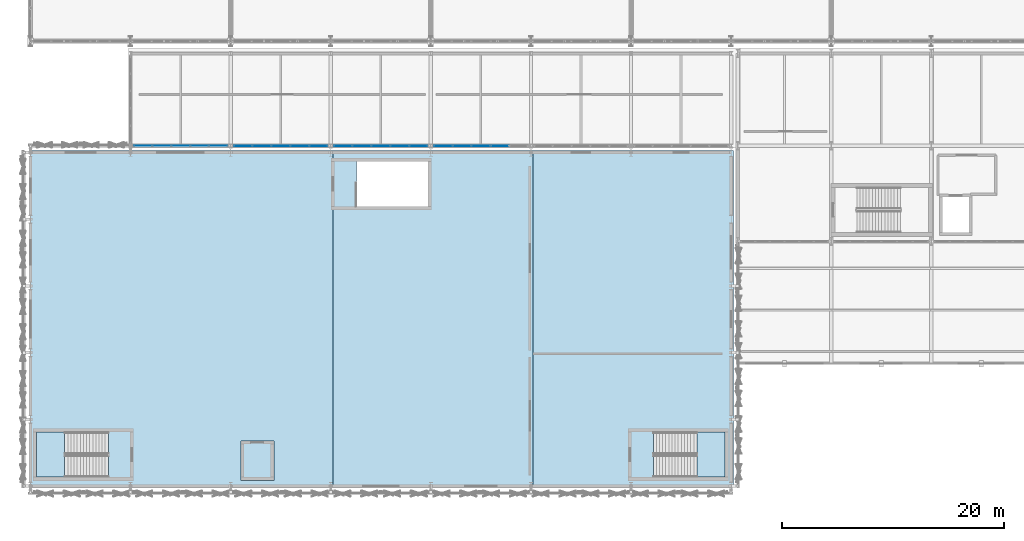
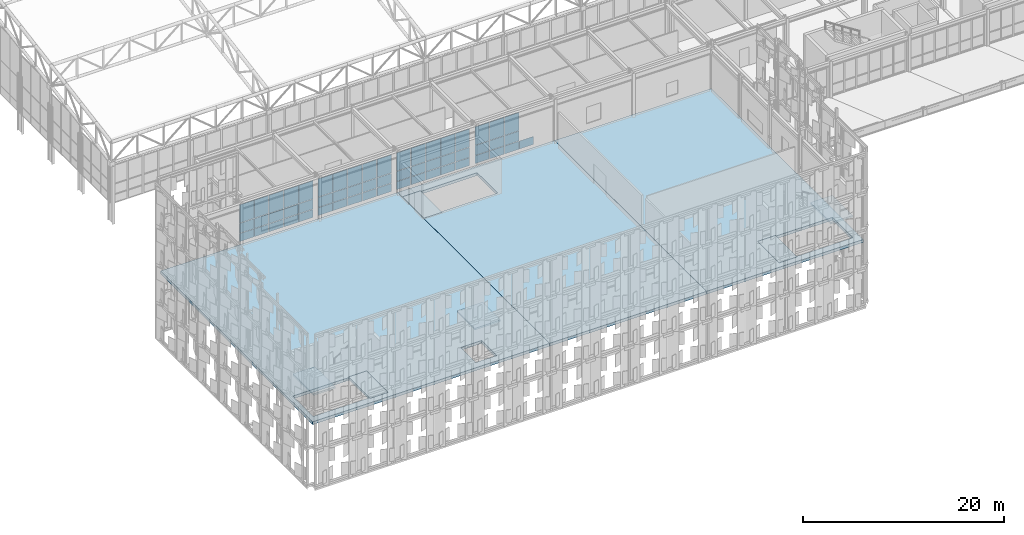
# One storey, part 178 of 239: 55 plates, 9 slabs, 6 elements without a shape of their own.
"""IFC4 building model written with IfcOpenShell, lengths in metres."""

from ifc_helpers import new_model, si_unit, direction, frame, origin, origin_2d, place, context, subcontext, project, spatial, polyline, rectangle, outline, extrude, material, layer, layer_set, type_object, element, aggregate, save


model = new_model("IFC4")

# Units and contexts
model_context = context("Model", 3, precision=1e-05, world=origin(), true_north=direction((0.0, 1.0)))
body_context = subcontext(model_context, "Body", "Model", "MODEL_VIEW")
ifc_project = project(units=[si_unit("LENGTHUNIT", "METRE"), si_unit("AREAUNIT", "SQUARE_METRE"), si_unit("VOLUMEUNIT", "CUBIC_METRE"), si_unit("PLANEANGLEUNIT", "RADIAN"), si_unit("MASSUNIT", "GRAM", prefix="KILO")], contexts=[model_context])

# Site, building, storey
site_placement = place(None, origin())
site = spatial("IfcSite", under=ifc_project, at=site_placement, CompositionType="ELEMENT")
building_placement = place(site_placement, origin())
building = spatial("IfcBuilding", under=site, at=building_placement, Name="Kaldris Quays Convention Centre", CompositionType="ELEMENT")
storey_placement = place(building_placement, frame((0.0, 0.0, 11.39990234375)))
storey = spatial("IfcBuildingStorey", under=building, at=storey_placement, Name="L02", CompositionType="ELEMENT", Elevation=11.39990234375)

# Curtain wall, plates
ifc_material_1 = material(Name="Anodized aluminium AW-6060 and triple glazing", Category="aluminium")
curtain_wall_type = type_object("IfcCurtainWallType", Name="UNITISED CURTAIN WALL CW02", PredefinedType="NOTDEFINED", material=ifc_material_1)
curtain_wall_1_placement = place(storey_placement, origin())
curtain_wall_1 = element("IfcCurtainWall", 1, at=curtain_wall_1_placement, inside=storey, type_object=curtain_wall_type, Name="L02 Unitised Curtain Wall CW02 97", PredefinedType="NOTDEFINED")
ifc_material_2 = material(Name="Triple low-E insulated glazing", Category="glass")
plate_type_1 = type_object("IfcPlateType", Name="CURTAIN GLAZING PANEL CWP1", PredefinedType="CURTAIN_PANEL", material=ifc_material_2)
plate_1_placement = place(storey_placement, frame((30.114990234375, 46.60009765625, 0.06005859375), z_axis=(0.0, 0.0, 1.0), x_axis=(1.0, 0.0, 0.0)))
plate_1 = element("IfcPlate", 2, at=plate_1_placement, type_object=plate_type_1, Name="CW02 panel 1.1", PredefinedType="CURTAIN_PANEL", context=body_context, shape_type="SweptSolid", body=[
    extrude(rectangle(XDim=1.610107421875, YDim=0.029052734375, at=origin_2d()), origin(), (0.0, 0.0, 1.0), 0.9599609375),
])
plate_2_placement = place(storey_placement, frame((30.114990234375, 46.60009765625, 1.080078125), z_axis=(0.0, 0.0, 1.0), x_axis=(1.0, 0.0, 0.0)))
plate_2 = element("IfcPlate", 3, at=plate_2_placement, type_object=plate_type_1, Name="CW02 panel 1.2", PredefinedType="CURTAIN_PANEL", context=body_context, shape_type="SweptSolid", body=[
    extrude(rectangle(XDim=1.610107421875, YDim=0.029052734375, at=origin_2d()), origin(), (0.0, 0.0, 1.0), 1.178955078125),
])
plate_3_placement = place(storey_placement, frame((30.114990234375, 46.60009765625, 2.3193359375), z_axis=(0.0, 0.0, 1.0), x_axis=(1.0, 0.0, 0.0)))
plate_3 = element("IfcPlate", 4, at=plate_3_placement, type_object=plate_type_1, Name="CW02 panel 1.3", PredefinedType="CURTAIN_PANEL", context=body_context, shape_type="SweptSolid", body=[
    extrude(rectangle(XDim=1.610107421875, YDim=0.029052734375, at=origin_2d()), origin(), (0.0, 0.0, 1.0), 2.198974609375),
])
plate_4_placement = place(storey_placement, frame((31.800048828125, 46.60009765625, 0.06005859375), z_axis=(0.0, 0.0, 1.0), x_axis=(1.0, 0.0, 0.0)))
plate_4 = element("IfcPlate", 5, at=plate_4_placement, type_object=plate_type_1, Name="CW02 panel 2.1", PredefinedType="CURTAIN_PANEL", context=body_context, shape_type="SweptSolid", body=[
    extrude(rectangle(XDim=1.639892578125, YDim=0.029052734375, at=origin_2d()), origin(), (0.0, 0.0, 1.0), 0.9599609375),
])
plate_5_placement = place(storey_placement, frame((31.800048828125, 46.60009765625, 1.080078125), z_axis=(0.0, 0.0, 1.0), x_axis=(1.0, 0.0, 0.0)))
plate_5 = element("IfcPlate", 6, at=plate_5_placement, type_object=plate_type_1, Name="CW02 panel 2.2", PredefinedType="CURTAIN_PANEL", context=body_context, shape_type="SweptSolid", body=[
    extrude(rectangle(XDim=1.639892578125, YDim=0.029052734375, at=origin_2d()), origin(), (0.0, 0.0, 1.0), 1.178955078125),
])
plate_6_placement = place(storey_placement, frame((31.800048828125, 46.60009765625, 2.3193359375), z_axis=(0.0, 0.0, 1.0), x_axis=(1.0, 0.0, 0.0)))
plate_6 = element("IfcPlate", 7, at=plate_6_placement, type_object=plate_type_1, Name="CW02 panel 2.3", PredefinedType="CURTAIN_PANEL", context=body_context, shape_type="SweptSolid", body=[
    extrude(rectangle(XDim=1.639892578125, YDim=0.029052734375, at=origin_2d()), origin(), (0.0, 0.0, 1.0), 2.198974609375),
])
plate_7_placement = place(storey_placement, frame((33.5, 46.60009765625, 0.06005859375), z_axis=(0.0, 0.0, 1.0), x_axis=(1.0, 0.0, 0.0)))
plate_7 = element("IfcPlate", 8, at=plate_7_placement, type_object=plate_type_1, Name="CW02 panel 3.1", PredefinedType="CURTAIN_PANEL", context=body_context, shape_type="SweptSolid", body=[
    extrude(rectangle(XDim=1.639892578125, YDim=0.029052734375, at=origin_2d()), origin(), (0.0, 0.0, 1.0), 0.9599609375),
])
plate_8_placement = place(storey_placement, frame((33.5, 46.60009765625, 1.080078125), z_axis=(0.0, 0.0, 1.0), x_axis=(1.0, 0.0, 0.0)))
plate_8 = element("IfcPlate", 9, at=plate_8_placement, type_object=plate_type_1, Name="CW02 panel 3.2", PredefinedType="CURTAIN_PANEL", context=body_context, shape_type="SweptSolid", body=[
    extrude(rectangle(XDim=1.639892578125, YDim=0.029052734375, at=origin_2d()), origin(), (0.0, 0.0, 1.0), 1.178955078125),
])
plate_9_placement = place(storey_placement, frame((33.5, 46.60009765625, 2.3193359375), z_axis=(0.0, 0.0, 1.0), x_axis=(1.0, 0.0, 0.0)))
plate_9 = element("IfcPlate", 10, at=plate_9_placement, type_object=plate_type_1, Name="CW02 panel 3.3", PredefinedType="CURTAIN_PANEL", context=body_context, shape_type="SweptSolid", body=[
    extrude(rectangle(XDim=1.639892578125, YDim=0.029052734375, at=origin_2d()), origin(), (0.0, 0.0, 1.0), 2.198974609375),
])
plate_10_placement = place(storey_placement, frame((35.199951171875, 46.60009765625, 0.06005859375), z_axis=(0.0, 0.0, 1.0), x_axis=(1.0, 0.0, 0.0)))
plate_10 = element("IfcPlate", 11, at=plate_10_placement, type_object=plate_type_1, Name="CW02 panel 4.1", PredefinedType="CURTAIN_PANEL", context=body_context, shape_type="SweptSolid", body=[
    extrude(rectangle(XDim=1.639892578125, YDim=0.029052734375, at=origin_2d()), origin(), (0.0, 0.0, 1.0), 0.9599609375),
])
plate_11_placement = place(storey_placement, frame((35.199951171875, 46.60009765625, 1.080078125), z_axis=(0.0, 0.0, 1.0), x_axis=(1.0, 0.0, 0.0)))
plate_11 = element("IfcPlate", 12, at=plate_11_placement, type_object=plate_type_1, Name="CW02 panel 4.2", PredefinedType="CURTAIN_PANEL", context=body_context, shape_type="SweptSolid", body=[
    extrude(rectangle(XDim=1.639892578125, YDim=0.029052734375, at=origin_2d()), origin(), (0.0, 0.0, 1.0), 1.178955078125),
])
plate_12_placement = place(storey_placement, frame((35.199951171875, 46.60009765625, 2.3193359375), z_axis=(0.0, 0.0, 1.0), x_axis=(1.0, 0.0, 0.0)))
plate_12 = element("IfcPlate", 13, at=plate_12_placement, type_object=plate_type_1, Name="CW02 panel 4.3", PredefinedType="CURTAIN_PANEL", context=body_context, shape_type="SweptSolid", body=[
    extrude(rectangle(XDim=1.639892578125, YDim=0.029052734375, at=origin_2d()), origin(), (0.0, 0.0, 1.0), 2.198974609375),
])
plate_13_placement = place(storey_placement, frame((36.885009765625, 46.60009765625, 0.06005859375), z_axis=(0.0, 0.0, 1.0), x_axis=(1.0, 0.0, 0.0)))
plate_13 = element("IfcPlate", 14, at=plate_13_placement, type_object=plate_type_1, Name="CW02 panel 5.1", PredefinedType="CURTAIN_PANEL", context=body_context, shape_type="SweptSolid", body=[
    extrude(rectangle(XDim=1.610107421875, YDim=0.029052734375, at=origin_2d()), origin(), (0.0, 0.0, 1.0), 0.9599609375),
])
plate_14_placement = place(storey_placement, frame((36.885009765625, 46.60009765625, 1.080078125), z_axis=(0.0, 0.0, 1.0), x_axis=(1.0, 0.0, 0.0)))
plate_14 = element("IfcPlate", 15, at=plate_14_placement, type_object=plate_type_1, Name="CW02 panel 5.2", PredefinedType="CURTAIN_PANEL", context=body_context, shape_type="SweptSolid", body=[
    extrude(rectangle(XDim=1.610107421875, YDim=0.029052734375, at=origin_2d()), origin(), (0.0, 0.0, 1.0), 1.178955078125),
])
plate_15_placement = place(storey_placement, frame((36.885009765625, 46.60009765625, 2.3193359375), z_axis=(0.0, 0.0, 1.0), x_axis=(1.0, 0.0, 0.0)))
plate_15 = element("IfcPlate", 16, at=plate_15_placement, type_object=plate_type_1, Name="CW02 panel 5.3", PredefinedType="CURTAIN_PANEL", context=body_context, shape_type="SweptSolid", body=[
    extrude(rectangle(XDim=1.610107421875, YDim=0.029052734375, at=origin_2d()), origin(), (0.0, 0.0, 1.0), 2.198974609375),
])
aggregate(curtain_wall_1, [plate_1, plate_2, plate_3, plate_4, plate_5, plate_6, plate_7, plate_8, plate_9, plate_10, plate_11, plate_12, plate_13, plate_14, plate_15])

curtain_wall_2_placement = place(storey_placement, origin())
curtain_wall_2 = element("IfcCurtainWall", 17, at=curtain_wall_2_placement, inside=storey, type_object=curtain_wall_type, Name="L02 Unitised Curtain Wall CW02 98", PredefinedType="NOTDEFINED")
plate_type_2 = type_object("IfcPlateType", Name="CURTAIN GLAZING PANEL CWP2", PredefinedType="CURTAIN_PANEL", material=ifc_material_2)
plate_16_placement = place(storey_placement, frame((39.114990234375, 46.60009765625, 0.06005859375), z_axis=(0.0, 0.0, 1.0), x_axis=(1.0, 0.0, 0.0)))
plate_16 = element("IfcPlate", 18, at=plate_16_placement, type_object=plate_type_2, Name="CW02 panel 1.1", PredefinedType="CURTAIN_PANEL", context=body_context, shape_type="SweptSolid", body=[
    extrude(rectangle(XDim=1.610107421875, YDim=0.033935546875, at=origin_2d()), origin(), (0.0, 0.0, 1.0), 0.9599609375),
])
plate_17_placement = place(storey_placement, frame((39.114990234375, 46.60009765625, 1.080078125), z_axis=(0.0, 0.0, 1.0), x_axis=(1.0, 0.0, 0.0)))
plate_17 = element("IfcPlate", 19, at=plate_17_placement, type_object=plate_type_2, Name="CW02 panel 1.2", PredefinedType="CURTAIN_PANEL", context=body_context, shape_type="SweptSolid", body=[
    extrude(rectangle(XDim=1.610107421875, YDim=0.033935546875, at=origin_2d()), origin(), (0.0, 0.0, 1.0), 1.178955078125),
])
plate_18_placement = place(storey_placement, frame((39.114990234375, 46.60009765625, 2.3193359375), z_axis=(0.0, 0.0, 1.0), x_axis=(1.0, 0.0, 0.0)))
plate_18 = element("IfcPlate", 20, at=plate_18_placement, type_object=plate_type_2, Name="CW02 panel 1.3", PredefinedType="CURTAIN_PANEL", context=body_context, shape_type="SweptSolid", body=[
    extrude(rectangle(XDim=1.610107421875, YDim=0.033935546875, at=origin_2d()), origin(), (0.0, 0.0, 1.0), 2.198974609375),
])
plate_19_placement = place(storey_placement, frame((40.800048828125, 46.60009765625, 0.06005859375), z_axis=(0.0, 0.0, 1.0), x_axis=(1.0, 0.0, 0.0)))
plate_19 = element("IfcPlate", 21, at=plate_19_placement, type_object=plate_type_2, Name="CW02 panel 2.1", PredefinedType="CURTAIN_PANEL", context=body_context, shape_type="SweptSolid", body=[
    extrude(rectangle(XDim=1.639892578125, YDim=0.033935546875, at=origin_2d()), origin(), (0.0, 0.0, 1.0), 0.9599609375),
])
plate_20_placement = place(storey_placement, frame((40.800048828125, 46.60009765625, 1.080078125), z_axis=(0.0, 0.0, 1.0), x_axis=(1.0, 0.0, 0.0)))
plate_20 = element("IfcPlate", 22, at=plate_20_placement, type_object=plate_type_2, Name="CW02 panel 2.2", PredefinedType="CURTAIN_PANEL", context=body_context, shape_type="SweptSolid", body=[
    extrude(rectangle(XDim=1.639892578125, YDim=0.033935546875, at=origin_2d()), origin(), (0.0, 0.0, 1.0), 1.178955078125),
])
plate_21_placement = place(storey_placement, frame((40.800048828125, 46.60009765625, 2.3193359375), z_axis=(0.0, 0.0, 1.0), x_axis=(1.0, 0.0, 0.0)))
plate_21 = element("IfcPlate", 23, at=plate_21_placement, type_object=plate_type_2, Name="CW02 panel 2.3", PredefinedType="CURTAIN_PANEL", context=body_context, shape_type="SweptSolid", body=[
    extrude(rectangle(XDim=1.639892578125, YDim=0.033935546875, at=origin_2d()), origin(), (0.0, 0.0, 1.0), 2.198974609375),
])
plate_22_placement = place(storey_placement, frame((42.5, 46.60009765625, 0.06005859375), z_axis=(0.0, 0.0, 1.0), x_axis=(1.0, 0.0, 0.0)))
plate_22 = element("IfcPlate", 24, at=plate_22_placement, type_object=plate_type_2, Name="CW02 panel 3.1", PredefinedType="CURTAIN_PANEL", context=body_context, shape_type="SweptSolid", body=[
    extrude(rectangle(XDim=1.639892578125, YDim=0.033935546875, at=origin_2d()), origin(), (0.0, 0.0, 1.0), 0.9599609375),
])
plate_23_placement = place(storey_placement, frame((42.5, 46.60009765625, 1.080078125), z_axis=(0.0, 0.0, 1.0), x_axis=(1.0, 0.0, 0.0)))
plate_23 = element("IfcPlate", 25, at=plate_23_placement, type_object=plate_type_2, Name="CW02 panel 3.2", PredefinedType="CURTAIN_PANEL", context=body_context, shape_type="SweptSolid", body=[
    extrude(rectangle(XDim=1.639892578125, YDim=0.033935546875, at=origin_2d()), origin(), (0.0, 0.0, 1.0), 1.178955078125),
])
plate_24_placement = place(storey_placement, frame((42.5, 46.60009765625, 2.3193359375), z_axis=(0.0, 0.0, 1.0), x_axis=(1.0, 0.0, 0.0)))
plate_24 = element("IfcPlate", 26, at=plate_24_placement, type_object=plate_type_2, Name="CW02 panel 3.3", PredefinedType="CURTAIN_PANEL", context=body_context, shape_type="SweptSolid", body=[
    extrude(rectangle(XDim=1.639892578125, YDim=0.033935546875, at=origin_2d()), origin(), (0.0, 0.0, 1.0), 2.198974609375),
])
plate_25_placement = place(storey_placement, frame((44.199951171875, 46.60009765625, 0.06005859375), z_axis=(0.0, 0.0, 1.0), x_axis=(1.0, 0.0, 0.0)))
plate_25 = element("IfcPlate", 27, at=plate_25_placement, type_object=plate_type_2, Name="CW02 panel 4.1", PredefinedType="CURTAIN_PANEL", context=body_context, shape_type="SweptSolid", body=[
    extrude(rectangle(XDim=1.639892578125, YDim=0.033935546875, at=origin_2d()), origin(), (0.0, 0.0, 1.0), 0.9599609375),
])
plate_26_placement = place(storey_placement, frame((44.199951171875, 46.60009765625, 1.080078125), z_axis=(0.0, 0.0, 1.0), x_axis=(1.0, 0.0, 0.0)))
plate_26 = element("IfcPlate", 28, at=plate_26_placement, type_object=plate_type_2, Name="CW02 panel 4.2", PredefinedType="CURTAIN_PANEL", context=body_context, shape_type="SweptSolid", body=[
    extrude(rectangle(XDim=1.639892578125, YDim=0.033935546875, at=origin_2d()), origin(), (0.0, 0.0, 1.0), 1.178955078125),
])
plate_27_placement = place(storey_placement, frame((44.199951171875, 46.60009765625, 2.3193359375), z_axis=(0.0, 0.0, 1.0), x_axis=(1.0, 0.0, 0.0)))
plate_27 = element("IfcPlate", 29, at=plate_27_placement, type_object=plate_type_2, Name="CW02 panel 4.3", PredefinedType="CURTAIN_PANEL", context=body_context, shape_type="SweptSolid", body=[
    extrude(rectangle(XDim=1.639892578125, YDim=0.033935546875, at=origin_2d()), origin(), (0.0, 0.0, 1.0), 2.198974609375),
])
plate_28_placement = place(storey_placement, frame((45.885009765625, 46.60009765625, 0.06005859375), z_axis=(0.0, 0.0, 1.0), x_axis=(1.0, 0.0, 0.0)))
plate_28 = element("IfcPlate", 30, at=plate_28_placement, type_object=plate_type_2, Name="CW02 panel 5.1", PredefinedType="CURTAIN_PANEL", context=body_context, shape_type="SweptSolid", body=[
    extrude(rectangle(XDim=1.610107421875, YDim=0.033935546875, at=origin_2d()), origin(), (0.0, 0.0, 1.0), 0.9599609375),
])
plate_29_placement = place(storey_placement, frame((45.885009765625, 46.60009765625, 1.080078125), z_axis=(0.0, 0.0, 1.0), x_axis=(1.0, 0.0, 0.0)))
plate_29 = element("IfcPlate", 31, at=plate_29_placement, type_object=plate_type_2, Name="CW02 panel 5.2", PredefinedType="CURTAIN_PANEL", context=body_context, shape_type="SweptSolid", body=[
    extrude(rectangle(XDim=1.610107421875, YDim=0.033935546875, at=origin_2d()), origin(), (0.0, 0.0, 1.0), 1.178955078125),
])
plate_30_placement = place(storey_placement, frame((45.885009765625, 46.60009765625, 2.3193359375), z_axis=(0.0, 0.0, 1.0), x_axis=(1.0, 0.0, 0.0)))
plate_30 = element("IfcPlate", 32, at=plate_30_placement, type_object=plate_type_2, Name="CW02 panel 5.3", PredefinedType="CURTAIN_PANEL", context=body_context, shape_type="SweptSolid", body=[
    extrude(rectangle(XDim=1.610107421875, YDim=0.033935546875, at=origin_2d()), origin(), (0.0, 0.0, 1.0), 2.198974609375),
])
aggregate(curtain_wall_2, [plate_16, plate_17, plate_18, plate_19, plate_20, plate_21, plate_22, plate_23, plate_24, plate_25, plate_26, plate_27, plate_28, plate_29, plate_30])

curtain_wall_3_placement = place(storey_placement, origin())
curtain_wall_3 = element("IfcCurtainWall", 33, at=curtain_wall_3_placement, inside=storey, type_object=curtain_wall_type, Name="L02 Unitised Curtain Wall CW02 99", PredefinedType="NOTDEFINED")
plate_type_3 = type_object("IfcPlateType", Name="CURTAIN GLAZING PANEL CWP3", PredefinedType="CURTAIN_PANEL", material=ifc_material_2)
plate_31_placement = place(storey_placement, frame((48.114990234375, 46.60009765625, 0.06005859375), z_axis=(0.0, 0.0, 1.0), x_axis=(1.0, 0.0, 0.0)))
plate_31 = element("IfcPlate", 34, at=plate_31_placement, type_object=plate_type_3, Name="CW02 panel 1.1", PredefinedType="CURTAIN_PANEL", context=body_context, shape_type="SweptSolid", body=[
    extrude(rectangle(XDim=1.610107421875, YDim=0.0390625, at=origin_2d()), origin(), (0.0, 0.0, 1.0), 0.9599609375),
])
plate_32_placement = place(storey_placement, frame((48.114990234375, 46.60009765625, 1.080078125), z_axis=(0.0, 0.0, 1.0), x_axis=(1.0, 0.0, 0.0)))
plate_32 = element("IfcPlate", 35, at=plate_32_placement, type_object=plate_type_3, Name="CW02 panel 1.2", PredefinedType="CURTAIN_PANEL", context=body_context, shape_type="SweptSolid", body=[
    extrude(rectangle(XDim=1.610107421875, YDim=0.0390625, at=origin_2d()), origin(), (0.0, 0.0, 1.0), 1.178955078125),
])
plate_33_placement = place(storey_placement, frame((48.114990234375, 46.60009765625, 2.3193359375), z_axis=(0.0, 0.0, 1.0), x_axis=(1.0, 0.0, 0.0)))
plate_33 = element("IfcPlate", 36, at=plate_33_placement, type_object=plate_type_3, Name="CW02 panel 1.3", PredefinedType="CURTAIN_PANEL", context=body_context, shape_type="SweptSolid", body=[
    extrude(rectangle(XDim=1.610107421875, YDim=0.0390625, at=origin_2d()), origin(), (0.0, 0.0, 1.0), 2.198974609375),
])
plate_34_placement = place(storey_placement, frame((49.800048828125, 46.60009765625, 0.06005859375), z_axis=(0.0, 0.0, 1.0), x_axis=(1.0, 0.0, 0.0)))
plate_34 = element("IfcPlate", 37, at=plate_34_placement, type_object=plate_type_3, Name="CW02 panel 2.1", PredefinedType="CURTAIN_PANEL", context=body_context, shape_type="SweptSolid", body=[
    extrude(rectangle(XDim=1.639892578125, YDim=0.0390625, at=origin_2d()), origin(), (0.0, 0.0, 1.0), 0.9599609375),
])
plate_35_placement = place(storey_placement, frame((49.800048828125, 46.60009765625, 1.080078125), z_axis=(0.0, 0.0, 1.0), x_axis=(1.0, 0.0, 0.0)))
plate_35 = element("IfcPlate", 38, at=plate_35_placement, type_object=plate_type_3, Name="CW02 panel 2.2", PredefinedType="CURTAIN_PANEL", context=body_context, shape_type="SweptSolid", body=[
    extrude(rectangle(XDim=1.639892578125, YDim=0.0390625, at=origin_2d()), origin(), (0.0, 0.0, 1.0), 1.178955078125),
])
plate_36_placement = place(storey_placement, frame((49.800048828125, 46.60009765625, 2.3193359375), z_axis=(0.0, 0.0, 1.0), x_axis=(1.0, 0.0, 0.0)))
plate_36 = element("IfcPlate", 39, at=plate_36_placement, type_object=plate_type_3, Name="CW02 panel 2.3", PredefinedType="CURTAIN_PANEL", context=body_context, shape_type="SweptSolid", body=[
    extrude(rectangle(XDim=1.639892578125, YDim=0.0390625, at=origin_2d()), origin(), (0.0, 0.0, 1.0), 2.198974609375),
])
plate_37_placement = place(storey_placement, frame((51.5, 46.60009765625, 0.06005859375), z_axis=(0.0, 0.0, 1.0), x_axis=(1.0, 0.0, 0.0)))
plate_37 = element("IfcPlate", 40, at=plate_37_placement, type_object=plate_type_3, Name="CW02 panel 3.1", PredefinedType="CURTAIN_PANEL", context=body_context, shape_type="SweptSolid", body=[
    extrude(rectangle(XDim=1.639892578125, YDim=0.0390625, at=origin_2d()), origin(), (0.0, 0.0, 1.0), 0.9599609375),
])
plate_38_placement = place(storey_placement, frame((51.5, 46.60009765625, 1.080078125), z_axis=(0.0, 0.0, 1.0), x_axis=(1.0, 0.0, 0.0)))
plate_38 = element("IfcPlate", 41, at=plate_38_placement, type_object=plate_type_3, Name="CW02 panel 3.2", PredefinedType="CURTAIN_PANEL", context=body_context, shape_type="SweptSolid", body=[
    extrude(rectangle(XDim=1.639892578125, YDim=0.0390625, at=origin_2d()), origin(), (0.0, 0.0, 1.0), 1.178955078125),
])
plate_39_placement = place(storey_placement, frame((51.5, 46.60009765625, 2.3193359375), z_axis=(0.0, 0.0, 1.0), x_axis=(1.0, 0.0, 0.0)))
plate_39 = element("IfcPlate", 42, at=plate_39_placement, type_object=plate_type_3, Name="CW02 panel 3.3", PredefinedType="CURTAIN_PANEL", context=body_context, shape_type="SweptSolid", body=[
    extrude(rectangle(XDim=1.639892578125, YDim=0.0390625, at=origin_2d()), origin(), (0.0, 0.0, 1.0), 2.198974609375),
])
plate_40_placement = place(storey_placement, frame((53.199951171875, 46.60009765625, 0.06005859375), z_axis=(0.0, 0.0, 1.0), x_axis=(1.0, 0.0, 0.0)))
plate_40 = element("IfcPlate", 43, at=plate_40_placement, type_object=plate_type_3, Name="CW02 panel 4.1", PredefinedType="CURTAIN_PANEL", context=body_context, shape_type="SweptSolid", body=[
    extrude(rectangle(XDim=1.639892578125, YDim=0.0390625, at=origin_2d()), origin(), (0.0, 0.0, 1.0), 0.9599609375),
])
plate_41_placement = place(storey_placement, frame((53.199951171875, 46.60009765625, 1.080078125), z_axis=(0.0, 0.0, 1.0), x_axis=(1.0, 0.0, 0.0)))
plate_41 = element("IfcPlate", 44, at=plate_41_placement, type_object=plate_type_3, Name="CW02 panel 4.2", PredefinedType="CURTAIN_PANEL", context=body_context, shape_type="SweptSolid", body=[
    extrude(rectangle(XDim=1.639892578125, YDim=0.0390625, at=origin_2d()), origin(), (0.0, 0.0, 1.0), 1.178955078125),
])
plate_42_placement = place(storey_placement, frame((53.199951171875, 46.60009765625, 2.3193359375), z_axis=(0.0, 0.0, 1.0), x_axis=(1.0, 0.0, 0.0)))
plate_42 = element("IfcPlate", 45, at=plate_42_placement, type_object=plate_type_3, Name="CW02 panel 4.3", PredefinedType="CURTAIN_PANEL", context=body_context, shape_type="SweptSolid", body=[
    extrude(rectangle(XDim=1.639892578125, YDim=0.0390625, at=origin_2d()), origin(), (0.0, 0.0, 1.0), 2.198974609375),
])
plate_43_placement = place(storey_placement, frame((54.885009765625, 46.60009765625, 0.06005859375), z_axis=(0.0, 0.0, 1.0), x_axis=(1.0, 0.0, 0.0)))
plate_43 = element("IfcPlate", 46, at=plate_43_placement, type_object=plate_type_3, Name="CW02 panel 5.1", PredefinedType="CURTAIN_PANEL", context=body_context, shape_type="SweptSolid", body=[
    extrude(rectangle(XDim=1.610107421875, YDim=0.0390625, at=origin_2d()), origin(), (0.0, 0.0, 1.0), 0.9599609375),
])
plate_44_placement = place(storey_placement, frame((54.885009765625, 46.60009765625, 1.080078125), z_axis=(0.0, 0.0, 1.0), x_axis=(1.0, 0.0, 0.0)))
plate_44 = element("IfcPlate", 47, at=plate_44_placement, type_object=plate_type_3, Name="CW02 panel 5.2", PredefinedType="CURTAIN_PANEL", context=body_context, shape_type="SweptSolid", body=[
    extrude(rectangle(XDim=1.610107421875, YDim=0.0390625, at=origin_2d()), origin(), (0.0, 0.0, 1.0), 1.178955078125),
])
plate_45_placement = place(storey_placement, frame((54.885009765625, 46.60009765625, 2.3193359375), z_axis=(0.0, 0.0, 1.0), x_axis=(1.0, 0.0, 0.0)))
plate_45 = element("IfcPlate", 48, at=plate_45_placement, type_object=plate_type_3, Name="CW02 panel 5.3", PredefinedType="CURTAIN_PANEL", context=body_context, shape_type="SweptSolid", body=[
    extrude(rectangle(XDim=1.610107421875, YDim=0.0390625, at=origin_2d()), origin(), (0.0, 0.0, 1.0), 2.198974609375),
])
aggregate(curtain_wall_3, [plate_31, plate_32, plate_33, plate_34, plate_35, plate_36, plate_37, plate_38, plate_39, plate_40, plate_41, plate_42, plate_43, plate_44, plate_45])

curtain_wall_4_placement = place(storey_placement, origin())
curtain_wall_4 = element("IfcCurtainWall", 49, at=curtain_wall_4_placement, inside=storey, type_object=curtain_wall_type, Name="L02 Unitised Curtain Wall CW02 100", PredefinedType="NOTDEFINED")
plate_type_4 = type_object("IfcPlateType", Name="CURTAIN GLAZING PANEL CWP4", PredefinedType="CURTAIN_PANEL", material=ifc_material_2)
plate_46_placement = place(storey_placement, frame((57.114990234375, 46.60009765625, 0.06005859375), z_axis=(0.0, 0.0, 1.0), x_axis=(1.0, 0.0, 0.0)))
plate_46 = element("IfcPlate", 50, at=plate_46_placement, type_object=plate_type_4, Name="CW02 panel 1.1", PredefinedType="CURTAIN_PANEL", context=body_context, shape_type="SweptSolid", body=[
    extrude(rectangle(XDim=1.610107421875, YDim=0.0439453125, at=origin_2d()), origin(), (0.0, 0.0, 1.0), 0.9599609375),
])
plate_47_placement = place(storey_placement, frame((57.114990234375, 46.60009765625, 1.080078125), z_axis=(0.0, 0.0, 1.0), x_axis=(1.0, 0.0, 0.0)))
plate_47 = element("IfcPlate", 51, at=plate_47_placement, type_object=plate_type_4, Name="CW02 panel 1.2", PredefinedType="CURTAIN_PANEL", context=body_context, shape_type="SweptSolid", body=[
    extrude(rectangle(XDim=1.610107421875, YDim=0.0439453125, at=origin_2d()), origin(), (0.0, 0.0, 1.0), 1.178955078125),
])
plate_48_placement = place(storey_placement, frame((57.114990234375, 46.60009765625, 2.3193359375), z_axis=(0.0, 0.0, 1.0), x_axis=(1.0, 0.0, 0.0)))
plate_48 = element("IfcPlate", 52, at=plate_48_placement, type_object=plate_type_4, Name="CW02 panel 1.3", PredefinedType="CURTAIN_PANEL", context=body_context, shape_type="SweptSolid", body=[
    extrude(rectangle(XDim=1.610107421875, YDim=0.0439453125, at=origin_2d()), origin(), (0.0, 0.0, 1.0), 2.198974609375),
])
plate_49_placement = place(storey_placement, frame((58.800048828125, 46.60009765625, 0.06005859375), z_axis=(0.0, 0.0, 1.0), x_axis=(1.0, 0.0, 0.0)))
plate_49 = element("IfcPlate", 53, at=plate_49_placement, type_object=plate_type_4, Name="CW02 panel 2.1", PredefinedType="CURTAIN_PANEL", context=body_context, shape_type="SweptSolid", body=[
    extrude(rectangle(XDim=1.639892578125, YDim=0.0439453125, at=origin_2d()), origin(), (0.0, 0.0, 1.0), 0.9599609375),
])
plate_50_placement = place(storey_placement, frame((58.800048828125, 46.60009765625, 1.080078125), z_axis=(0.0, 0.0, 1.0), x_axis=(1.0, 0.0, 0.0)))
plate_50 = element("IfcPlate", 54, at=plate_50_placement, type_object=plate_type_4, Name="CW02 panel 2.2", PredefinedType="CURTAIN_PANEL", context=body_context, shape_type="SweptSolid", body=[
    extrude(rectangle(XDim=1.639892578125, YDim=0.0439453125, at=origin_2d()), origin(), (0.0, 0.0, 1.0), 1.178955078125),
])
plate_51_placement = place(storey_placement, frame((58.800048828125, 46.60009765625, 2.3193359375), z_axis=(0.0, 0.0, 1.0), x_axis=(1.0, 0.0, 0.0)))
plate_51 = element("IfcPlate", 55, at=plate_51_placement, type_object=plate_type_4, Name="CW02 panel 2.3", PredefinedType="CURTAIN_PANEL", context=body_context, shape_type="SweptSolid", body=[
    extrude(rectangle(XDim=1.639892578125, YDim=0.0439453125, at=origin_2d()), origin(), (0.0, 0.0, 1.0), 2.198974609375),
])
plate_52_placement = place(storey_placement, frame((60.5, 46.60009765625, 0.06005859375), z_axis=(0.0, 0.0, 1.0), x_axis=(1.0, 0.0, 0.0)))
plate_52 = element("IfcPlate", 56, at=plate_52_placement, type_object=plate_type_4, Name="CW02 panel 3.1", PredefinedType="CURTAIN_PANEL", context=body_context, shape_type="SweptSolid", body=[
    extrude(rectangle(XDim=1.639892578125, YDim=0.0439453125, at=origin_2d()), origin(), (0.0, 0.0, 1.0), 0.9599609375),
])
plate_53_placement = place(storey_placement, frame((60.5, 46.60009765625, 1.080078125), z_axis=(0.0, 0.0, 1.0), x_axis=(1.0, 0.0, 0.0)))
plate_53 = element("IfcPlate", 57, at=plate_53_placement, type_object=plate_type_4, Name="CW02 panel 3.2", PredefinedType="CURTAIN_PANEL", context=body_context, shape_type="SweptSolid", body=[
    extrude(rectangle(XDim=1.639892578125, YDim=0.0439453125, at=origin_2d()), origin(), (0.0, 0.0, 1.0), 1.178955078125),
])
plate_54_placement = place(storey_placement, frame((60.5, 46.60009765625, 2.3193359375), z_axis=(0.0, 0.0, 1.0), x_axis=(1.0, 0.0, 0.0)))
plate_54 = element("IfcPlate", 58, at=plate_54_placement, type_object=plate_type_4, Name="CW02 panel 3.3", PredefinedType="CURTAIN_PANEL", context=body_context, shape_type="SweptSolid", body=[
    extrude(rectangle(XDim=1.639892578125, YDim=0.0439453125, at=origin_2d()), origin(), (0.0, 0.0, 1.0), 2.198974609375),
])
plate_55_placement = place(storey_placement, frame((62.199951171875, 46.60009765625, 0.06005859375), z_axis=(0.0, 0.0, 1.0), x_axis=(1.0, 0.0, 0.0)))
plate_55 = element("IfcPlate", 59, at=plate_55_placement, type_object=plate_type_4, Name="CW02 panel 4.1", PredefinedType="CURTAIN_PANEL", context=body_context, shape_type="SweptSolid", body=[
    extrude(rectangle(XDim=1.639892578125, YDim=0.0439453125, at=origin_2d()), origin(), (0.0, 0.0, 1.0), 0.9599609375),
])
aggregate(curtain_wall_4, [plate_46, plate_47, plate_48, plate_49, plate_50, plate_51, plate_52, plate_53, plate_54, plate_55])

# Stair, slab
ifc_material_3 = material(Name="Concrete C35/45", Category="concrete")
stair_type = type_object("IfcStairType", Name="DOGLEG ESCAPE STAIR STF1", PredefinedType="TWO_STRAIGHT_RUN_STAIR", material=ifc_material_3)
stair_1_placement = place(storey_placement, origin())
stair_1 = element("IfcStair", 60, at=stair_1_placement, inside=storey, type_object=stair_type, Name="L02 Escape Stair ST05", PredefinedType="TWO_STRAIGHT_RUN_STAIR")
ifc_layer_1 = layer(ifc_material_3, 0.205078125)
ifc_layer_set_1 = layer_set([ifc_layer_1], Name="Concrete C35/45")
slab_type_1 = type_object("IfcSlabType", Name="STAIR LANDING SLAB LS01", PredefinedType="LANDING", material=ifc_layer_set_1)
slab_1_placement = place(storey_placement, frame((0.0, 0.0, 2.4951171875)))
slab_1 = element("IfcSlab", 61, at=slab_1_placement, type_object=slab_type_1, Name="STF1 landing 1", PredefinedType="LANDING", context=body_context, shape_type="SweptSolid", body=[
    extrude(outline(polyline([(23.080078125, 20.85009765625), (20.550048828125, 20.85009765625), (20.550048828125, 16.800048828125), (23.080078125, 16.800048828125), (23.080078125, 20.85009765625)])), origin(), (0.0, 0.0, 1.0), 0.205078125),
])
aggregate(stair_1, [slab_1])

stair_2_placement = place(storey_placement, origin())
stair_2 = element("IfcStair", 62, at=stair_2_placement, inside=storey, type_object=stair_type, Name="L02 Escape Stair ST06", PredefinedType="TWO_STRAIGHT_RUN_STAIR")
slab_2_placement = place(storey_placement, frame((0.0, 0.0, 2.4951171875)))
slab_2 = element("IfcSlab", 63, at=slab_2_placement, type_object=slab_type_1, Name="STF1 landing 1", PredefinedType="LANDING", context=body_context, shape_type="SweptSolid", body=[
    extrude(outline(polyline([(79.919921875, 16.800048828125), (82.449951171875, 16.800048828125), (82.449951171875, 20.85009765625), (79.919921875, 20.85009765625), (79.919921875, 16.800048828125)])), origin(), (0.0, 0.0, 1.0), 0.205078125),
])
aggregate(stair_2, [slab_2])

# Slabs
ifc_layer_2 = layer(ifc_material_3, 0.340087890625)
ifc_layer_set_2 = layer_set([ifc_layer_2], Name="Concrete C35/45")
slab_type_2 = type_object("IfcSlabType", Name="STRUCTURAL SLAB FS02", PredefinedType="FLOOR", material=ifc_layer_set_2)
slab_3_placement = place(storey_placement, frame((0.0, 0.0, -0.33984375)))
element("IfcSlab", 64, at=slab_3_placement, inside=storey, type_object=slab_type_2, Name="L02 V3 Ballroom Slab 1 SLAB-L02-V3-1", PredefinedType="FLOOR", context=body_context, shape_type="SweptSolid", body=[
    extrude(outline(polyline([(20.0, 16.0), (20.0, 46.199951171875), (47.199951171875, 46.199951171875), (47.199951171875, 16.0), (20.0, 16.0)]), holes=[polyline([(41.60009765625, 19.800048828125), (39.199951171875, 19.800048828125), (39.199951171875, 16.800048828125), (41.60009765625, 16.800048828125), (41.60009765625, 19.800048828125)]), polyline([(26.998291015625, 20.970703125), (26.998046875, 20.85009765625), (20.550048828125, 20.85009765625), (20.550048828125, 16.800048828125), (26.998046875, 16.800048828125), (26.999755859375, 16.677978515625), (29.071044921875, 16.67822265625), (29.07177734375, 20.970947265625), (26.998291015625, 20.970703125)])]), origin(), (0.0, 0.0, 1.0), 0.33984375),
])
slab_4_placement = place(storey_placement, frame((0.0, 0.0, -0.33984375)))
element("IfcSlab", 65, at=slab_4_placement, inside=storey, type_object=slab_type_2, Name="L02 V3 Ballroom Slab 2 SLAB-L02-V3-2", PredefinedType="FLOOR", context=body_context, shape_type="SweptSolid", body=[
    extrude(outline(polyline([(65.199951171875, 46.199951171875), (65.199951171875, 16.0), (47.201904296875, 16.0), (47.201904296875, 46.199951171875), (65.199951171875, 46.199951171875)]), holes=[polyline([(47.229248046875, 41.0283203125), (49.30029296875, 41.028076171875), (49.302001953125, 41.14990234375), (55.75, 41.14990234375), (55.75, 45.199951171875), (49.302001953125, 45.199951171875), (49.30029296875, 45.322021484375), (47.22900390625, 45.32177734375), (47.229248046875, 41.0283203125)])]), origin(), (0.0, 0.0, 1.0), 0.33984375),
])
slab_5_placement = place(storey_placement, frame((0.0, 0.0, -0.33984375)))
element("IfcSlab", 66, at=slab_5_placement, inside=storey, type_object=slab_type_2, Name="L02 V3 Ballroom Slab 3 SLAB-L02-V3-3", PredefinedType="FLOOR", context=body_context, shape_type="SweptSolid", body=[
    extrude(outline(polyline([(83.199951171875, 46.199951171875), (83.199951171875, 16.0), (65.201904296875, 16.0), (65.201904296875, 46.199951171875), (83.199951171875, 46.199951171875)]), holes=[polyline([(73.92822265625, 20.970703125), (73.92919921875, 16.67822265625), (76.000244140625, 16.677978515625), (76.001953125, 16.800048828125), (82.449951171875, 16.800048828125), (82.449951171875, 20.85009765625), (76.001953125, 20.85009765625), (76.000244140625, 20.971923828125), (73.92822265625, 20.970703125)])]), origin(), (0.0, 0.0, 1.0), 0.33984375),
])
ifc_layer_3 = layer(ifc_material_3, 0.27490234375)
ifc_layer_set_3 = layer_set([ifc_layer_3], Name="Concrete C35/45")
slab_type_3 = type_object("IfcSlabType", Name="STRUCTURAL SLAB FS05", PredefinedType="FLOOR", material=ifc_layer_set_3)
slab_6_placement = place(storey_placement, frame((0.0, 0.0, -0.27490234375)))
element("IfcSlab", 67, at=slab_6_placement, inside=storey, type_object=slab_type_3, Name="L02 ST05 Core Floor Landing Slab", PredefinedType="FLOOR", context=body_context, shape_type="SweptSolid", body=[
    extrude(outline(polyline([(29.070068359375, 20.969970703125), (27.0, 20.969970703125), (27.0, 16.679931640625), (29.070068359375, 16.679931640625), (29.070068359375, 20.969970703125)])), origin(), (0.0, 0.0, 1.0), 0.27490234375),
])
slab_7_placement = place(storey_placement, frame((0.0, 0.0, -0.27490234375)))
element("IfcSlab", 68, at=slab_7_placement, inside=storey, type_object=slab_type_3, Name="L02 ST06 Core Floor Landing Slab", PredefinedType="FLOOR", context=body_context, shape_type="SweptSolid", body=[
    extrude(outline(polyline([(73.929931640625, 16.679931640625), (76.0, 16.679931640625), (76.0, 20.969970703125), (73.929931640625, 20.969970703125), (73.929931640625, 16.679931640625)])), origin(), (0.0, 0.0, 1.0), 0.27490234375),
])
slab_8_placement = place(storey_placement, frame((0.0, 0.0, -0.27490234375)))
element("IfcSlab", 69, at=slab_8_placement, inside=storey, type_object=slab_type_3, Name="L02 ST07 Core Floor Landing Slab", PredefinedType="FLOOR", context=body_context, shape_type="SweptSolid", body=[
    extrude(outline(polyline([(47.22998046875, 41.030029296875), (49.300048828125, 41.030029296875), (49.300048828125, 45.320068359375), (47.22998046875, 45.320068359375), (47.22998046875, 41.030029296875)])), origin(), (0.0, 0.0, 1.0), 0.27490234375),
])
ifc_layer_4 = layer(ifc_material_3, 0.205078125)
ifc_layer_set_4 = layer_set([ifc_layer_4], Name="Concrete C35/45")
slab_type_4 = type_object("IfcSlabType", Name="STRUCTURAL SLAB RS01", PredefinedType="ROOF", material=ifc_layer_set_4)
slab_9_placement = place(storey_placement, frame((0.0, 0.0, 4.2001953125)))
element("IfcSlab", 70, at=slab_9_placement, inside=storey, type_object=slab_type_4, Name="PL01 Lift Overrun Cap Slab", PredefinedType="ROOF", context=body_context, shape_type="SweptSolid", body=[
    extrude(outline(polyline([(38.919921875, 16.52001953125), (41.8798828125, 16.52001953125), (41.8798828125, 20.080078125), (38.919921875, 20.080078125), (38.919921875, 16.52001953125)])), origin(), (0.0, 0.0, 1.0), 0.204833984375),
])

save(model, "model.ifc")
